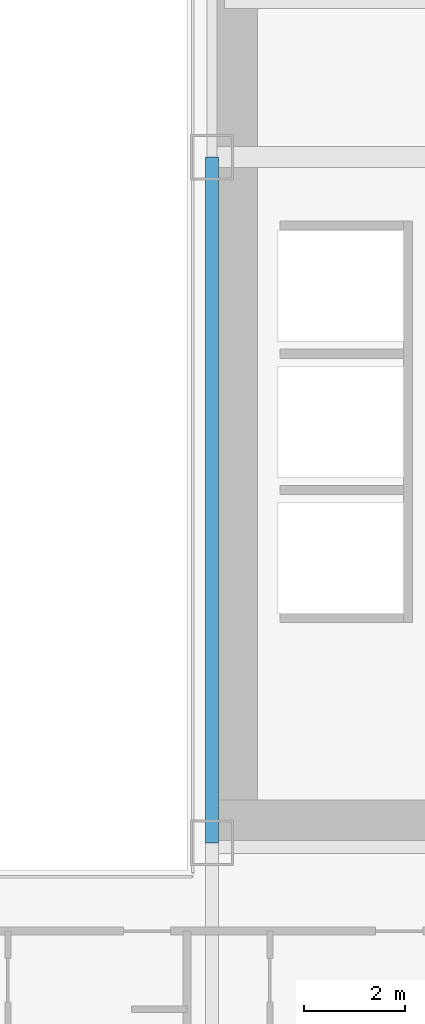
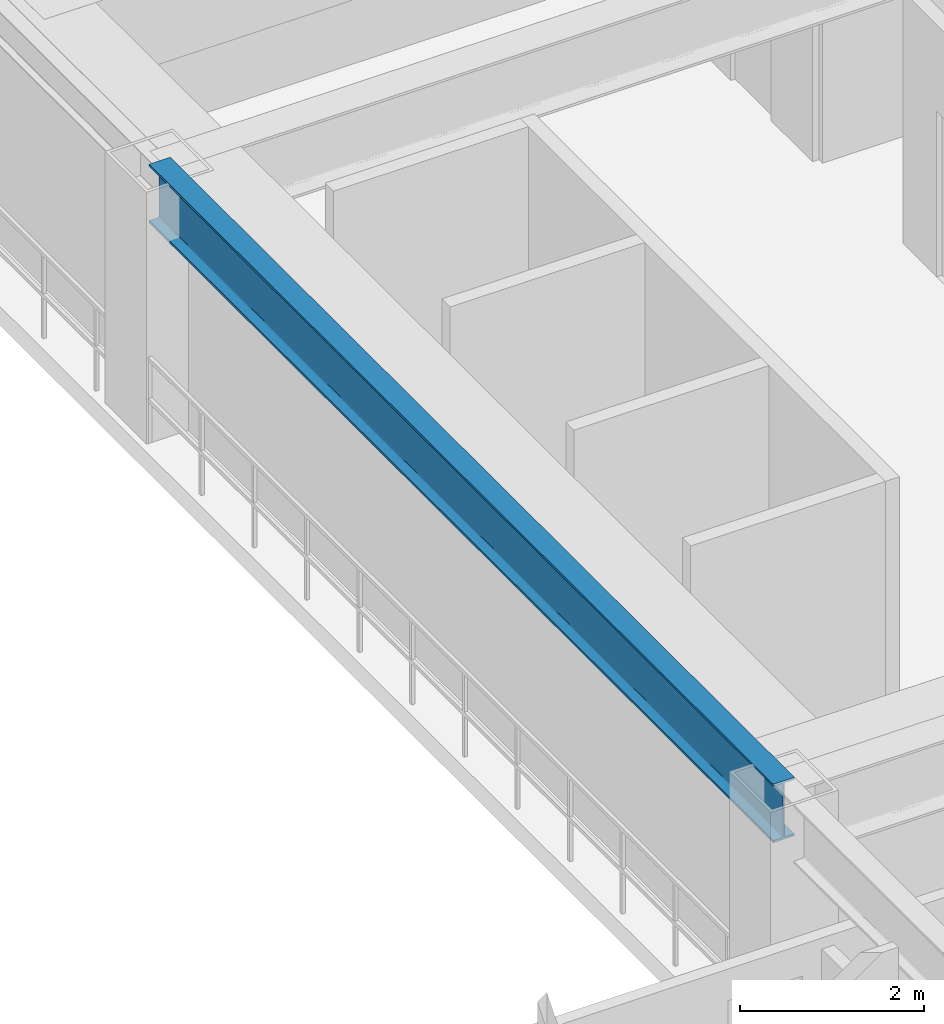
# One storey, part 12 of 35: 1 beam.
"""IFC4 building model written with IfcOpenShell, lengths in metres."""

from ifc_helpers import new_model, si_unit, direction, frame, origin, origin_2d, place, context, subcontext, project, spatial, i_section, extrude, source, transform, mapped, material, material_profile, profile_set, type_object, element, save


model = new_model("IFC4")

# Units and contexts
model_context = context("Model", 3, precision=1e-05, world=origin(), true_north=direction((0.0, 1.0)))
body_context = subcontext(model_context, "Body", "Model", "MODEL_VIEW")
ifc_project = project(units=[si_unit("LENGTHUNIT", "METRE"), si_unit("AREAUNIT", "SQUARE_METRE"), si_unit("VOLUMEUNIT", "CUBIC_METRE"), si_unit("PLANEANGLEUNIT", "RADIAN"), si_unit("MASSUNIT", "GRAM", prefix="KILO")], contexts=[model_context])

# Site, building, storey
site_placement = place(None, origin())
site = spatial("IfcSite", under=ifc_project, at=site_placement, CompositionType="ELEMENT")
building_placement = place(site_placement, origin())
building = spatial("IfcBuilding", under=site, at=building_placement, Name="Ocotamira Hotel", CompositionType="ELEMENT")
storey_placement = place(building_placement, frame((0.0, 0.0, 70.800048828125)))
storey = spatial("IfcBuildingStorey", under=building, at=storey_placement, Name="L17", CompositionType="ELEMENT", Elevation=70.800048828125)

# Beam
ifc_material = material(Name="Steel ASTM A992 Grade 50", Category="steel")
ifc_material_profile = material_profile(ifc_material, i_section(OverallWidth=0.26611328125, OverallDepth=0.779052734375, WebThickness=0.0166015625, FlangeThickness=0.030029296875, FilletRadius=0.01806640625, at=origin_2d()), Name="W30X148")
ifc_profile_set = profile_set([ifc_material_profile], Name="Steel ASTM A992 Grade 50")
beam_type = type_object("IfcBeamType", Name="BM-GIRD-W30X148", PredefinedType="BEAM", material=ifc_profile_set)
shared_shape = source(origin(), body_context, "Body", "SweptSolid", [
    extrude(i_section(OverallWidth=0.26611328125, OverallDepth=0.779052734375, WebThickness=0.0166015625, FlangeThickness=0.030029296875, FilletRadius=0.01806640625, at=origin_2d()), origin(), (0.0, 0.0, 1.0), 13.599853515625),
])
beam_placement = place(storey_placement, frame((40.5, 14.550048828125, 2.96044921875), z_axis=(0.0, 1.0, 0.0), x_axis=(-1.0, 0.0, 0.0)))
element("IfcBeam", 1, at=beam_placement, inside=storey, type_object=beam_type, Name="L17 Beam X40.5 Y14.55-28.15", PredefinedType="BEAM", context=body_context, shape_type="MappedRepresentation", body=[
    mapped(shared_shape, transform((0.0, 0.0, 0.0), scale=1.0)),
])

save(model, "model.ifc")
